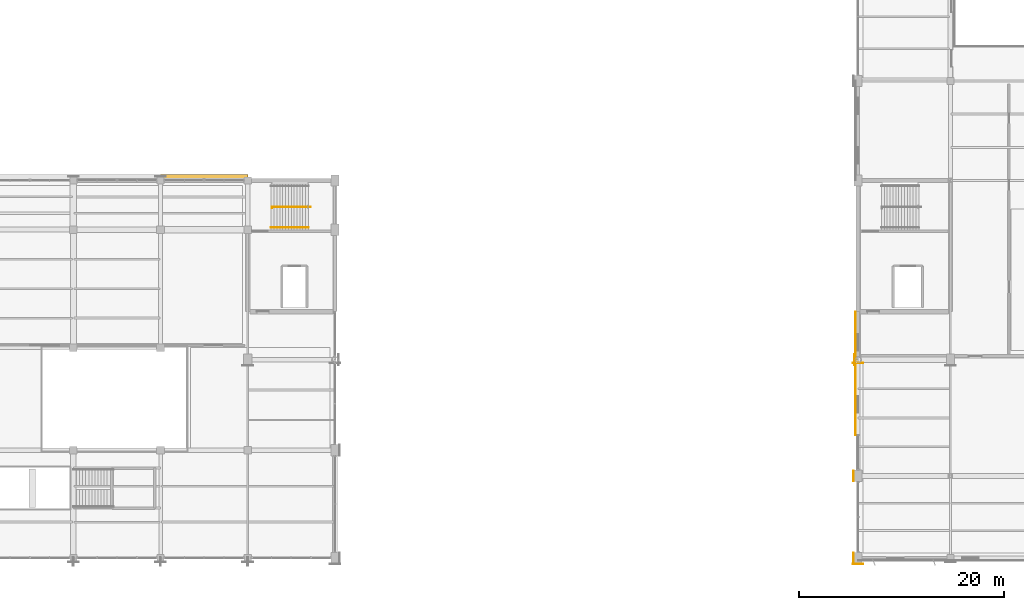
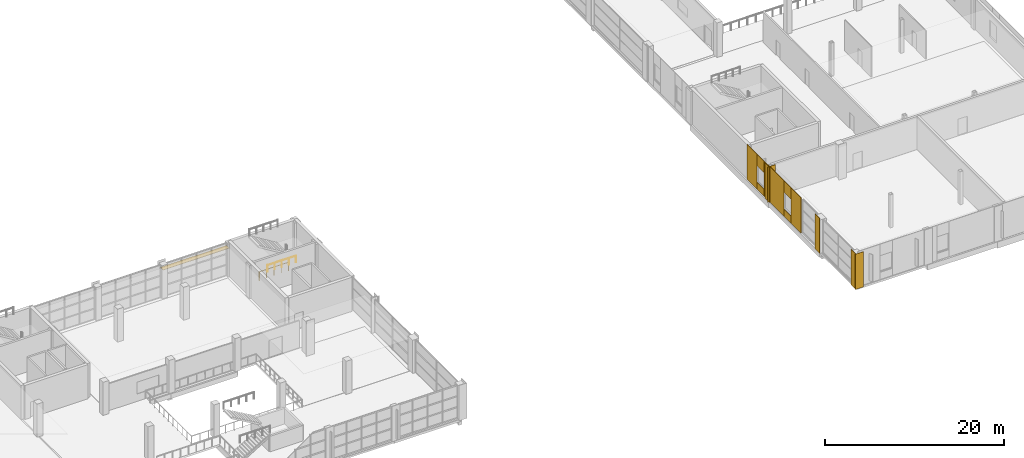
# One storey, part 104 of 112: 12 coverings, 2 railings, 1 shading device.
"""IFC4 building model written with IfcOpenShell, lengths in metres."""

from ifc_helpers import new_model, si_unit, direction, frame, origin, origin_2d, place, context, subcontext, project, spatial, rectangle, hollow_rectangle, circle, extrude, material, layer, layer_set, material_profile, profile_set, type_object, element, save


model = new_model("IFC4")

# Units and contexts
model_context = context("Model", 3, precision=1e-05, world=origin(), true_north=direction((0.0, 1.0)))
body_context = subcontext(model_context, "Body", "Model", "MODEL_VIEW")
ifc_project = project(units=[si_unit("LENGTHUNIT", "METRE"), si_unit("AREAUNIT", "SQUARE_METRE"), si_unit("VOLUMEUNIT", "CUBIC_METRE"), si_unit("PLANEANGLEUNIT", "RADIAN"), si_unit("MASSUNIT", "GRAM", prefix="KILO")], contexts=[model_context])

# Site, building, storey
site_placement = place(None, origin())
site = spatial("IfcSite", under=ifc_project, at=site_placement, CompositionType="ELEMENT")
building_placement = place(site_placement, origin())
building = spatial("IfcBuilding", under=site, at=building_placement, Name="Solvikara Media Centre", CompositionType="ELEMENT")
storey_placement = place(building_placement, frame((0.0, 0.0, 5.39990234375)))
storey = spatial("IfcBuildingStorey", under=building, at=storey_placement, Name="L01", CompositionType="ELEMENT", Elevation=5.39990234375)

# Coverings
ifc_material_1 = material(Name="GFRC white mineral architectural rainscreen panel")
ifc_layer = layer(ifc_material_1, 0.050048828125)
ifc_layer_set = layer_set([ifc_layer], Name="GFRC white mineral architectural rainscreen panel")
covering_type = type_object("IfcCoveringType", Name="CV-04", PredefinedType="CLADDING", material=ifc_layer_set)
for number, where, z_axis, x_axis, name in (
    (1, (127.5, -0.574951171875, 0.0), (0.0, 0.0, 1.0), (1.0, 0.0, 0.0), "PIL-L01-187"),
    (2, (127.074951171875, 0.0, 0.0), (0.0, 0.0, 1.0), (0.0, -1.0, 0.0), "PIL-L01-188"),
    (3, (127.074951171875, 8.0, 0.0), (0.0, 0.0, 1.0), (0.0, -1.0, 0.0), "PIL-L01-192"),
    (4, (127.5, 18.993896484375, 0.0), (0.0, 0.0, 1.0), (1.0, 0.0, 0.0), "PIL-L01-255"),
    (5, (127.169921875, 19.323974609375, 0.0), (0.0, 0.0, 1.0), (0.0, -1.0, 0.0), "PIL-L01-256"),
):
    element("IfcCovering", number, at=place(storey_placement, frame(where, z_axis=z_axis, x_axis=x_axis)), inside=storey, type_object=covering_type, Name=name, PredefinedType="CLADDING", context=body_context, shape_type="SweptSolid", body=[
        extrude(rectangle(XDim=1.0400390625, YDim=0.050048828125, at=origin_2d()), origin(), (0.0, 0.0, 1.0), 4.800048828125),
    ])
covering_1_placement = place(storey_placement, frame((127.2548828125, 13.06494140625, 0.0), z_axis=(0.0, 0.0, 1.0), x_axis=(0.0, 1.0, 0.0)))
element("IfcCovering", 6, at=covering_1_placement, inside=storey, type_object=covering_type, Name="L01-V5W-CV-F01", PredefinedType="CLADDING", context=body_context, shape_type="SweptSolid", body=[
    extrude(rectangle(XDim=2.2099609375, YDim=0.050048828125, at=origin_2d()), origin(), (0.0, 0.0, 1.0), 4.800048828125),
])
covering_2_placement = place(storey_placement, frame((127.2548828125, 14.969970703125, 0.0), z_axis=(0.0, 0.0, 1.0), x_axis=(0.0, 1.0, 0.0)))
element("IfcCovering", 7, at=covering_2_placement, inside=storey, type_object=covering_type, Name="L01-V5W-CV-S02", PredefinedType="CLADDING", context=body_context, shape_type="SweptSolid", body=[
    extrude(rectangle(XDim=1.60009765625, YDim=0.050048828125, at=origin_2d()), origin(), (0.0, 0.0, 1.0), 0.969970703125),
])
covering_3_placement = place(storey_placement, frame((127.2548828125, 14.969970703125, 3.22998046875), z_axis=(0.0, 0.0, 1.0), x_axis=(0.0, 1.0, 0.0)))
element("IfcCovering", 8, at=covering_3_placement, inside=storey, type_object=covering_type, Name="L01-V5W-CV-H02", PredefinedType="CLADDING", context=body_context, shape_type="SweptSolid", body=[
    extrude(rectangle(XDim=1.60009765625, YDim=0.050048828125, at=origin_2d()), origin(), (0.0, 0.0, 1.0), 1.570068359375),
])
covering_4_placement = place(storey_placement, frame((127.2548828125, 17.97998046875, 0.0), z_axis=(0.0, 0.0, 1.0), x_axis=(0.0, 1.0, 0.0)))
element("IfcCovering", 9, at=covering_4_placement, inside=storey, type_object=covering_type, Name="L01-V5W-CV-F03", PredefinedType="CLADDING", context=body_context, shape_type="SweptSolid", body=[
    extrude(rectangle(XDim=4.419921875, YDim=0.050048828125, at=origin_2d()), origin(), (0.0, 0.0, 1.0), 4.800048828125),
])
covering_5_placement = place(storey_placement, frame((127.2548828125, 20.989990234375, 0.0), z_axis=(0.0, 0.0, 1.0), x_axis=(0.0, 1.0, 0.0)))
element("IfcCovering", 10, at=covering_5_placement, inside=storey, type_object=covering_type, Name="L01-V5W-CV-S04", PredefinedType="CLADDING", context=body_context, shape_type="SweptSolid", body=[
    extrude(rectangle(XDim=1.60009765625, YDim=0.050048828125, at=origin_2d()), origin(), (0.0, 0.0, 1.0), 0.969970703125),
])
covering_6_placement = place(storey_placement, frame((127.2548828125, 20.989990234375, 3.22998046875), z_axis=(0.0, 0.0, 1.0), x_axis=(0.0, 1.0, 0.0)))
element("IfcCovering", 11, at=covering_6_placement, inside=storey, type_object=covering_type, Name="L01-V5W-CV-H04", PredefinedType="CLADDING", context=body_context, shape_type="SweptSolid", body=[
    extrude(rectangle(XDim=1.60009765625, YDim=0.050048828125, at=origin_2d()), origin(), (0.0, 0.0, 1.0), 1.570068359375),
])
covering_7_placement = place(storey_placement, frame((127.2548828125, 22.89501953125, 0.0), z_axis=(0.0, 0.0, 1.0), x_axis=(0.0, 1.0, 0.0)))
element("IfcCovering", 12, at=covering_7_placement, inside=storey, type_object=covering_type, Name="L01-V5W-CV-F05", PredefinedType="CLADDING", context=body_context, shape_type="SweptSolid", body=[
    extrude(rectangle(XDim=2.2099609375, YDim=0.050048828125, at=origin_2d()), origin(), (0.0, 0.0, 1.0), 4.800048828125),
])

# Railings
ifc_material_2 = material(Name="Steel S355JR", Category="steel")
railing_type_1 = type_object("IfcRailingType", Name="GR-01", PredefinedType="GUARDRAIL", material=ifc_material_2)
railing_1_placement = place(storey_placement, frame((70.340087890625, 34.10009765625, 0.0)))
element("IfcRailing", 13, at=railing_1_placement, inside=storey, type_object=railing_type_1, Name="GR-C3-L00-W", PredefinedType="GUARDRAIL", context=body_context, shape_type="SweptSolid", body=[
    extrude(circle(Radius=0.02392578125, at=origin_2d()), frame((0.0, 0.0, 1.1259765625), z_axis=(0.0, 1.0, 0.0), x_axis=(-1.0, 0.0, 0.0)), (0.0, 0.0, 1.0), 0.119873046875),
    extrude(circle(Radius=0.02392578125, at=origin_2d()), frame((0.0, 0.119873046875, 1.1259765625), z_axis=(1.0, 0.0, 0.0), x_axis=(0.0, 1.0, 0.0)), (0.0, 0.0, 1.0), 3.7998046875),
    extrude(circle(Radius=0.02099609375, at=origin_2d()), origin(), (0.0, 0.0, 1.0), 1.101806640625),
    extrude(circle(Radius=0.02099609375, at=origin_2d()), frame((0.0, 0.119873046875, 0.0)), (0.0, 0.0, 1.0), 1.101806640625),
    extrude(circle(Radius=0.02099609375, at=origin_2d()), frame((0.949951171875, 0.119873046875, 0.0)), (0.0, 0.0, 1.0), 1.101806640625),
    extrude(circle(Radius=0.02099609375, at=origin_2d()), frame((1.89990234375, 0.119873046875, 0.0)), (0.0, 0.0, 1.0), 1.101806640625),
    extrude(circle(Radius=0.02099609375, at=origin_2d()), frame((2.849853515625, 0.119873046875, 0.0)), (0.0, 0.0, 1.0), 1.101806640625),
    extrude(circle(Radius=0.02099609375, at=origin_2d()), frame((3.7998046875, 0.119873046875, 0.0)), (0.0, 0.0, 1.0), 1.101806640625),
])
railing_type_2 = type_object("IfcRailingType", Name="HR-01", PredefinedType="HANDRAIL", material=ifc_material_2)
railing_2_placement = place(storey_placement, frame((70.280029296875, 32.199951171875, 2.400146484375)))
element("IfcRailing", 14, at=railing_2_placement, inside=storey, type_object=railing_type_2, Name="HR-C3-L01-1", PredefinedType="HANDRAIL", context=body_context, shape_type="SweptSolid", body=[
    extrude(circle(Radius=0.02392578125, at=origin_2d()), frame((0.0, 0.0, 0.89599609375), z_axis=(1.0, 0.0, 0.0), x_axis=(0.0, 1.0, 0.0)), (0.0, 0.0, 1.0), 3.639892578125),
    extrude(circle(Radius=0.02099609375, at=origin_2d()), origin(), (0.0, 0.0, 1.0), 0.871826171875),
    extrude(circle(Radius=0.02099609375, at=origin_2d()), frame((0.909912109375, 0.0, 0.0)), (0.0, 0.0, 1.0), 0.871826171875),
    extrude(circle(Radius=0.02099609375, at=origin_2d()), frame((1.81982421875, 0.0, 0.0)), (0.0, 0.0, 1.0), 0.871826171875),
    extrude(circle(Radius=0.02099609375, at=origin_2d()), frame((2.72998046875, 0.0, 0.0)), (0.0, 0.0, 1.0), 0.871826171875),
    extrude(circle(Radius=0.02099609375, at=origin_2d()), frame((3.639892578125, 0.0, 0.0)), (0.0, 0.0, 1.0), 0.871826171875),
])

# Shading device
ifc_material_3 = material(Name="Anodised aluminium EN AW-6063", Category="aluminium")
ifc_material_profile = material_profile(ifc_material_3, hollow_rectangle(XDim=0.60009765625, YDim=0.06005859375, WallThickness=0.00341796875, at=origin_2d()), Name="ALU-LOUVRE 60x600x3.5")
ifc_profile_set = profile_set([ifc_material_profile], Name="Anodised aluminium EN AW-6063")
shading_device_type = type_object("IfcShadingDeviceType", Name="SH-02", PredefinedType="JALOUSIE", material=ifc_profile_set)
shading_device_placement = place(storey_placement, frame((59.5, 37.10009765625, 3.60009765625), z_axis=(1.0, 0.0, 0.0), x_axis=(0.0, 1.0, 0.0)))
element("IfcShadingDevice", 15, at=shading_device_placement, inside=storey, type_object=shading_device_type, Name="LVR-L01-006", PredefinedType="JALOUSIE", context=body_context, shape_type="SweptSolid", body=[
    extrude(hollow_rectangle(XDim=0.60009765625, YDim=0.06005859375, WallThickness=0.00341796875, at=origin_2d()), origin(), (0.0, 0.0, 1.0), 8.5),
])

save(model, "model.ifc")
